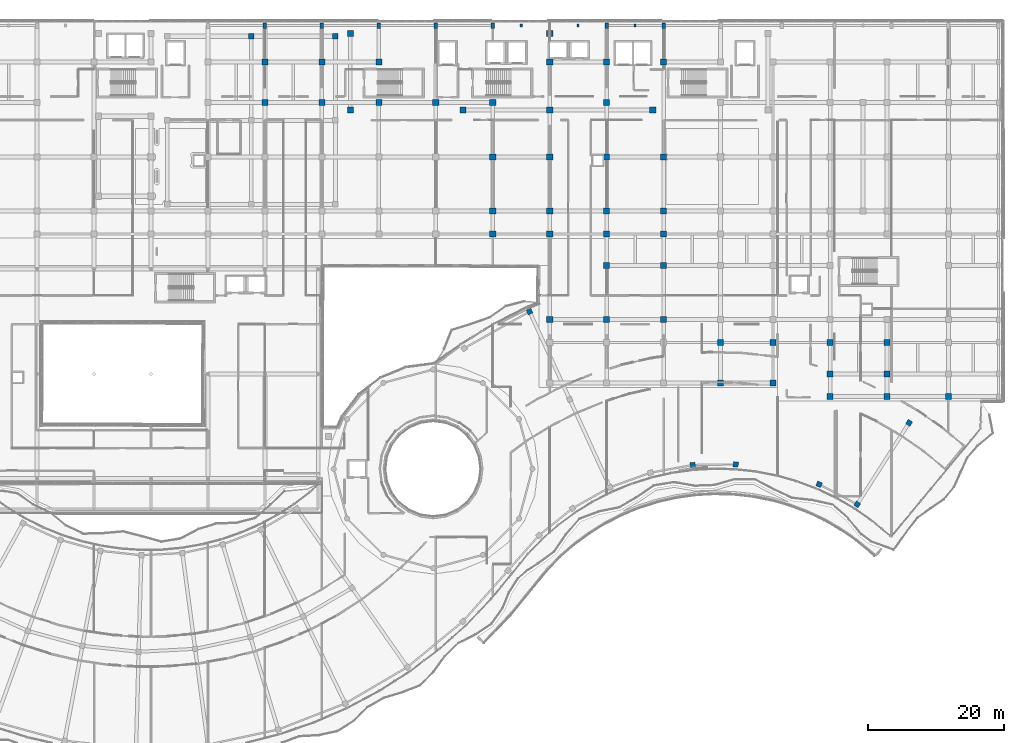
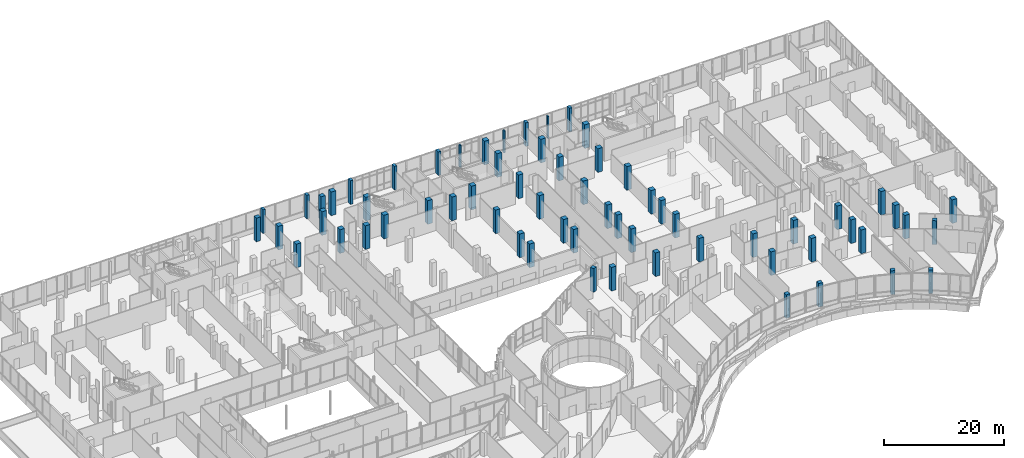
# One storey, part 11 of 168: 64 columns.
"""IFC4 building model written with IfcOpenShell, lengths in metres."""

from ifc_helpers import new_model, si_unit, direction, frame, origin, origin_2d, place, context, subcontext, project, spatial, rectangle, extrude, material, material_profile, profile_set, type_object, element, save


model = new_model("IFC4")

# Units and contexts
model_context = context("Model", 3, precision=1e-05, world=origin(), true_north=direction((0.0, 1.0)))
body_context = subcontext(model_context, "Body", "Model", "MODEL_VIEW")
ifc_project = project(units=[si_unit("LENGTHUNIT", "METRE"), si_unit("AREAUNIT", "SQUARE_METRE"), si_unit("VOLUMEUNIT", "CUBIC_METRE"), si_unit("PLANEANGLEUNIT", "RADIAN"), si_unit("MASSUNIT", "GRAM", prefix="KILO")], contexts=[model_context])

# Site, building, storey
site_placement = place(None, origin())
site = spatial("IfcSite", under=ifc_project, at=site_placement, CompositionType="ELEMENT")
building_placement = place(site_placement, origin())
building = spatial("IfcBuilding", under=site, at=building_placement, Name="Selatvlak General Hospital", CompositionType="ELEMENT")
storey_placement = place(building_placement, frame((0.0, 0.0, 5.39990234375)))
storey = spatial("IfcBuildingStorey", under=building, at=storey_placement, Name="L01", CompositionType="ELEMENT", Elevation=5.39990234375)

# Columns
ifc_material_1 = material(Name="Concrete C40/50", Category="concrete")
ifc_material_profile_1 = material_profile(ifc_material_1, rectangle(XDim=0.300048828125, YDim=0.449951171875, at=origin_2d()), Name="RC-PIL 450x300")
ifc_profile_set_1 = profile_set([ifc_material_profile_1], Name="Concrete C40/50")
column_type_1 = type_object("IfcColumnType", Name="COL-PIL45", PredefinedType="PILASTER", material=ifc_profile_set_1)
for number, where, z_axis, x_axis, name in (
    (1, (111.0, 119.35009765625, 0.0), (0.0, 0.0, 1.0), (1.0, 0.0, 0.0), "Inboard core pilaster 3 on L01"),
    (2, (119.39990234375, 119.35009765625, 0.0), (0.0, 0.0, 1.0), (1.0, 0.0, 0.0), "Inboard core pilaster 4 on L01"),
    (3, (127.800048828125, 119.35009765625, 0.0), (0.0, 0.0, 1.0), (1.0, 0.0, 0.0), "Inboard core pilaster 5 on L01"),
):
    element("IfcColumn", number, at=place(storey_placement, frame(where, z_axis=z_axis, x_axis=x_axis)), inside=storey, type_object=column_type_1, Name=name, PredefinedType="PILASTER", context=body_context, shape_type="SweptSolid", body=[
        extrude(rectangle(XDim=0.300048828125, YDim=0.449951171875, at=origin_2d()), origin(), (0.0, 0.0, 1.0), 4.445068359375),
    ])
ifc_material_2 = material(Name="Concrete C50/60", Category="concrete")
ifc_material_profile_2 = material_profile(ifc_material_2, rectangle(XDim=0.75, YDim=0.75, at=origin_2d()), Name="RC-COL 750x750")
ifc_profile_set_2 = profile_set([ifc_material_profile_2], Name="Concrete C50/60")
column_type_2 = type_object("IfcColumnType", Name="COL-RC75", PredefinedType="COLUMN", material=ifc_profile_set_2)
for number, where, z_axis, x_axis, name in (
    (4, (112.221923828125, 77.195068359375, 0.0), (0.0, 0.0, 1.0), (-0.416201444857, 0.909272432937, 0.0), "Column 342 on L01"),
    (5, (136.2919921875, 54.570068359375, 0.0), (0.0, 0.0, 1.0), (-0.097061786558, 0.995278357843, 0.0), "Column 346 on L01"),
    (6, (142.633056640625, 54.658935546875, 0.0), (0.0, 0.0, 1.0), (0.068938143839, 0.99762093619, 0.0), "Column 347 on L01"),
    (7, (154.927978515625, 51.716064453125, 0.0), (0.0, 0.0, 1.0), (0.390393719602, 0.920648002059, 0.0), "Column 348 on L01"),
    (8, (168.197998046875, 60.783935546875, 0.0), (0.0, 0.0, 1.0), (0.537064068078, 0.843541455282, 0.0), "Column 349 on L01"),
    (9, (160.544921875, 48.763916015625, 0.0), (0.0, 0.0, 1.0), (0.537064068078, 0.843541455282, 0.0), "Column 350 on L01"),
):
    element("IfcColumn", number, at=place(storey_placement, frame(where, z_axis=z_axis, x_axis=x_axis)), inside=storey, type_object=column_type_2, Name=name, PredefinedType="COLUMN", context=body_context, shape_type="SweptSolid", body=[
        extrude(rectangle(XDim=0.75, YDim=0.75, at=origin_2d()), origin(), (0.0, 0.0, 1.0), 4.800048828125),
    ])
ifc_material_profile_3 = material_profile(ifc_material_2, rectangle(XDim=0.800048828125, YDim=0.800048828125, at=origin_2d()), Name="RC-COL 800x800")
ifc_profile_set_3 = profile_set([ifc_material_profile_3], Name="Concrete C50/60")
column_type_3 = type_object("IfcColumnType", Name="COL-RC80", PredefinedType="COLUMN", material=ifc_profile_set_3)
for number, where, z_axis, x_axis, name in (
    (10, (71.199951171875, 117.800048828125, 0.0), (0.0, 0.0, 1.0), (1.0, 0.0, 0.0), "Column 042 on L01"),
    (11, (83.60009765625, 117.800048828125, 0.0), (0.0, 0.0, 1.0), (1.0, 0.0, 0.0), "Column 045 on L01"),
):
    element("IfcColumn", number, at=place(storey_placement, frame(where, z_axis=z_axis, x_axis=x_axis)), inside=storey, type_object=column_type_3, Name=name, PredefinedType="COLUMN", context=body_context, shape_type="SweptSolid", body=[
        extrude(rectangle(XDim=0.800048828125, YDim=0.800048828125, at=origin_2d()), origin(), (0.0, 0.0, 1.0), 4.800048828125),
    ])
ifc_material_profile_4 = material_profile(ifc_material_2, rectangle(XDim=0.5, YDim=0.800048828125, at=origin_2d()), Name="RC-COL 800x500")
ifc_profile_set_4 = profile_set([ifc_material_profile_4], Name="Concrete C50/60")
column_type_4 = type_object("IfcColumnType", Name="COL-RC85", PredefinedType="COLUMN", material=ifc_profile_set_4)
for number, where, z_axis, x_axis, name in (
    (12, (73.199951171875, 119.35009765625, 0.0), (0.0, 0.0, 1.0), (1.0, 0.0, 0.0), "Column 197 on L01"),
    (13, (81.60009765625, 119.35009765625, 0.0), (0.0, 0.0, 1.0), (1.0, 0.0, 0.0), "Column 206 on L01"),
    (14, (90.0, 119.35009765625, 0.0), (0.0, 0.0, 1.0), (1.0, 0.0, 0.0), "Column 215 on L01"),
    (15, (98.39990234375, 119.35009765625, 0.0), (0.0, 0.0, 1.0), (1.0, 0.0, 0.0), "Column 222 on L01"),
    (16, (106.800048828125, 119.35009765625, 0.0), (0.0, 0.0, 1.0), (1.0, 0.0, 0.0), "Column 228 on L01"),
    (17, (123.60009765625, 119.35009765625, 0.0), (0.0, 0.0, 1.0), (1.0, 0.0, 0.0), "Column 245 on L01"),
    (18, (132.0, 119.35009765625, 0.0), (0.0, 0.0, 1.0), (1.0, 0.0, 0.0), "Column 254 on L01"),
):
    element("IfcColumn", number, at=place(storey_placement, frame(where, z_axis=z_axis, x_axis=x_axis)), inside=storey, type_object=column_type_4, Name=name, PredefinedType="COLUMN", context=body_context, shape_type="SweptSolid", body=[
        extrude(rectangle(XDim=0.5, YDim=0.800048828125, at=origin_2d()), origin(), (0.0, 0.0, 1.0), 4.800048828125),
    ])
ifc_material_profile_5 = material_profile(ifc_material_2, rectangle(XDim=0.89990234375, YDim=0.89990234375, at=origin_2d()), Name="RC-COL 900x900")
ifc_profile_set_5 = profile_set([ifc_material_profile_5], Name="Concrete C50/60")
column_type_5 = type_object("IfcColumnType", Name="COL-RC90", PredefinedType="COLUMN", material=ifc_profile_set_5)
for number, where, z_axis, x_axis, name in (
    (19, (85.800048828125, 106.89990234375, 0.0), (0.0, 0.0, 1.0), (1.0, 0.0, 0.0), "Column 052 on L01"),
    (20, (102.39990234375, 106.89990234375, 0.0), (0.0, 0.0, 1.0), (1.0, 0.0, 0.0), "Column 053 on L01"),
    (21, (115.199951171875, 106.89990234375, 0.0), (0.0, 0.0, 1.0), (1.0, 0.0, 0.0), "Column 054 on L01"),
    (22, (130.39990234375, 106.89990234375, 0.0), (0.0, 0.0, 1.0), (1.0, 0.0, 0.0), "Column 055 on L01"),
    (23, (85.800048828125, 118.199951171875, 0.0), (0.0, 0.0, 1.0), (1.0, 0.0, 0.0), "Column 057 on L01"),
    (24, (115.199951171875, 118.199951171875, 0.0), (0.0, 0.0, 1.0), (1.0, 0.0, 0.0), "Column 058 on L01"),
    (25, (73.199951171875, 108.0, 0.0), (0.0, 0.0, 1.0), (1.0, 0.0, 0.0), "Column 195 on L01"),
    (26, (73.199951171875, 114.0, 0.0), (0.0, 0.0, 1.0), (1.0, 0.0, 0.0), "Column 196 on L01"),
    (27, (81.60009765625, 108.0, 0.0), (0.0, 0.0, 1.0), (1.0, 0.0, 0.0), "Column 204 on L01"),
    (28, (81.60009765625, 114.0, 0.0), (0.0, 0.0, 1.0), (1.0, 0.0, 0.0), "Column 205 on L01"),
    (29, (90.0, 108.0, 0.0), (0.0, 0.0, 1.0), (1.0, 0.0, 0.0), "Column 213 on L01"),
    (30, (90.0, 114.0, 0.0), (0.0, 0.0, 1.0), (1.0, 0.0, 0.0), "Column 214 on L01"),
    (31, (98.39990234375, 108.0, 0.0), (0.0, 0.0, 1.0), (1.0, 0.0, 0.0), "Column 221 on L01"),
    (32, (106.800048828125, 88.64990234375, 0.0), (0.0, 0.0, 1.0), (1.0, 0.0, 0.0), "Column 224 on L01"),
    (33, (106.800048828125, 92.0, 0.0), (0.0, 0.0, 1.0), (1.0, 0.0, 0.0), "Column 225 on L01"),
    (34, (106.800048828125, 100.0, 0.0), (0.0, 0.0, 1.0), (1.0, 0.0, 0.0), "Column 226 on L01"),
    (35, (106.800048828125, 108.0, 0.0), (0.0, 0.0, 1.0), (1.0, 0.0, 0.0), "Column 227 on L01"),
    (36, (115.199951171875, 76.0, 0.0), (0.0, 0.0, 1.0), (1.0, 0.0, 0.0), "Column 231 on L01"),
    (37, (115.199951171875, 88.64990234375, 0.0), (0.0, 0.0, 1.0), (1.0, 0.0, 0.0), "Column 232 on L01"),
    (38, (115.199951171875, 92.0, 0.0), (0.0, 0.0, 1.0), (1.0, 0.0, 0.0), "Column 233 on L01"),
    (39, (115.199951171875, 100.0, 0.0), (0.0, 0.0, 1.0), (1.0, 0.0, 0.0), "Column 234 on L01"),
    (40, (115.199951171875, 114.0, 0.0), (0.0, 0.0, 1.0), (1.0, 0.0, 0.0), "Column 235 on L01"),
    (41, (123.60009765625, 76.0, 0.0), (0.0, 0.0, 1.0), (1.0, 0.0, 0.0), "Column 238 on L01"),
    (42, (123.60009765625, 84.0, 0.0), (0.0, 0.0, 1.0), (1.0, 0.0, 0.0), "Column 239 on L01"),
    (43, (123.60009765625, 88.64990234375, 0.0), (0.0, 0.0, 1.0), (1.0, 0.0, 0.0), "Column 240 on L01"),
    (44, (123.60009765625, 92.0, 0.0), (0.0, 0.0, 1.0), (1.0, 0.0, 0.0), "Column 241 on L01"),
    (45, (123.60009765625, 100.0, 0.0), (0.0, 0.0, 1.0), (1.0, 0.0, 0.0), "Column 242 on L01"),
    (46, (123.60009765625, 108.0, 0.0), (0.0, 0.0, 1.0), (1.0, 0.0, 0.0), "Column 243 on L01"),
    (47, (123.60009765625, 114.0, 0.0), (0.0, 0.0, 1.0), (1.0, 0.0, 0.0), "Column 244 on L01"),
    (48, (132.0, 76.0, 0.0), (0.0, 0.0, 1.0), (1.0, 0.0, 0.0), "Column 248 on L01"),
    (49, (132.0, 84.0, 0.0), (0.0, 0.0, 1.0), (1.0, 0.0, 0.0), "Column 249 on L01"),
    (50, (132.0, 88.64990234375, 0.0), (0.0, 0.0, 1.0), (1.0, 0.0, 0.0), "Column 250 on L01"),
    (51, (132.0, 92.0, 0.0), (0.0, 0.0, 1.0), (1.0, 0.0, 0.0), "Column 251 on L01"),
    (52, (132.0, 100.0, 0.0), (0.0, 0.0, 1.0), (1.0, 0.0, 0.0), "Column 252 on L01"),
    (53, (132.0, 114.0, 0.0), (0.0, 0.0, 1.0), (1.0, 0.0, 0.0), "Column 253 on L01"),
    (54, (140.39990234375, 66.64990234375, 0.0), (0.0, 0.0, 1.0), (1.0, 0.0, 0.0), "Column 255 on L01"),
    (55, (140.39990234375, 72.64990234375, 0.0), (0.0, 0.0, 1.0), (1.0, 0.0, 0.0), "Column 256 on L01"),
    (56, (148.14990234375, 66.64990234375, 0.0), (0.0, 0.0, 1.0), (1.0, 0.0, 0.0), "Column 266 on L01"),
    (57, (148.14990234375, 72.64990234375, 0.0), (0.0, 0.0, 1.0), (1.0, 0.0, 0.0), "Column 267 on L01"),
    (58, (156.550048828125, 64.64990234375, 0.0), (0.0, 0.0, 1.0), (1.0, 0.0, 0.0), "Column 274 on L01"),
    (59, (156.550048828125, 68.0, 0.0), (0.0, 0.0, 1.0), (1.0, 0.0, 0.0), "Column 275 on L01"),
    (60, (156.550048828125, 72.64990234375, 0.0), (0.0, 0.0, 1.0), (1.0, 0.0, 0.0), "Column 276 on L01"),
    (61, (164.949951171875, 64.64990234375, 0.0), (0.0, 0.0, 1.0), (1.0, 0.0, 0.0), "Column 284 on L01"),
    (62, (164.949951171875, 68.0, 0.0), (0.0, 0.0, 1.0), (1.0, 0.0, 0.0), "Column 285 on L01"),
    (63, (164.949951171875, 72.64990234375, 0.0), (0.0, 0.0, 1.0), (1.0, 0.0, 0.0), "Column 286 on L01"),
    (64, (174.0, 64.64990234375, 0.0), (0.0, 0.0, 1.0), (1.0, 0.0, 0.0), "Column 294 on L01"),
):
    element("IfcColumn", number, at=place(storey_placement, frame(where, z_axis=z_axis, x_axis=x_axis)), inside=storey, type_object=column_type_5, Name=name, PredefinedType="COLUMN", context=body_context, shape_type="SweptSolid", body=[
        extrude(rectangle(XDim=0.89990234375, YDim=0.89990234375, at=origin_2d()), origin(), (0.0, 0.0, 1.0), 4.800048828125),
    ])

save(model, "model.ifc")
